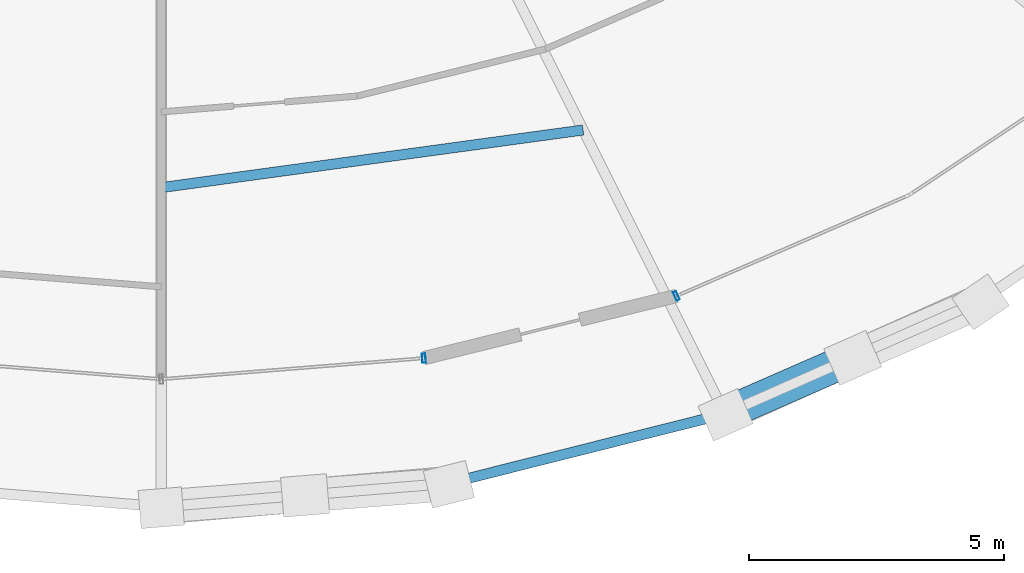
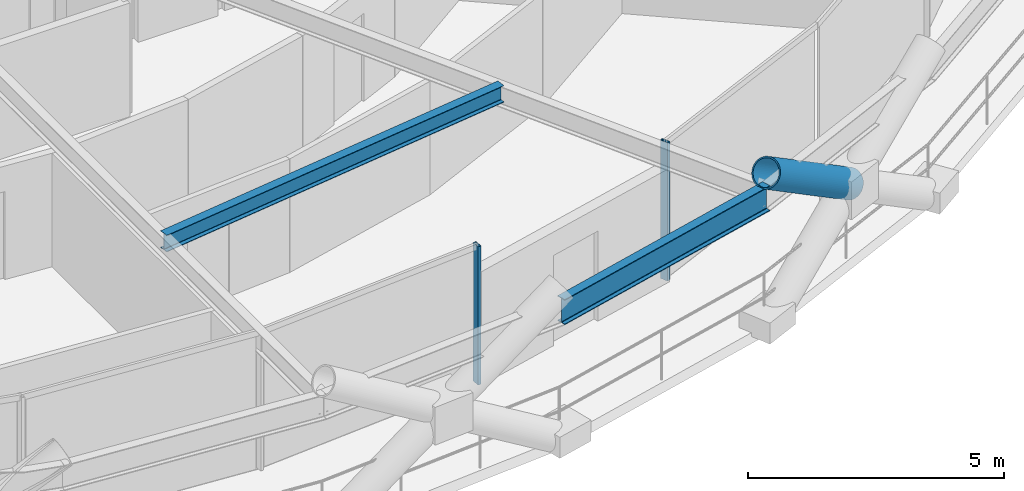
# One storey, part 6 of 23: 3 members, 2 beams, 2 elements without a shape of their own.
"""IFC4 building model written with IfcOpenShell, lengths in metres."""

from ifc_helpers import new_model, si_unit, direction, frame, origin, origin_2d, place, context, subcontext, project, spatial, hollow_rectangle, hollow_circle, i_section, extrude, material, layer, layer_set, material_profile, profile_set, type_object, element, aggregate, save


model = new_model("IFC4")

# Units and contexts
model_context = context("Model", 3, precision=1e-05, world=origin(), true_north=direction((0.0, 1.0)))
body_context = subcontext(model_context, "Body", "Model", "MODEL_VIEW")
ifc_project = project(units=[si_unit("LENGTHUNIT", "METRE"), si_unit("AREAUNIT", "SQUARE_METRE"), si_unit("VOLUMEUNIT", "CUBIC_METRE"), si_unit("PLANEANGLEUNIT", "RADIAN"), si_unit("MASSUNIT", "GRAM", prefix="KILO")], contexts=[model_context])

# Site, building, storey
site_placement = place(None, origin())
site = spatial("IfcSite", under=ifc_project, at=site_placement, CompositionType="ELEMENT")
building_placement = place(site_placement, origin())
building = spatial("IfcBuilding", under=site, at=building_placement, Name="Veldorina Hangang Commons", CompositionType="ELEMENT")
storey_placement = place(building_placement, frame((0.0, 0.0, 95.199951171875)))
storey = spatial("IfcBuildingStorey", under=building, at=storey_placement, Name="L24", CompositionType="ELEMENT", Elevation=95.199951171875)

# Beams
ifc_material_1 = material(Name="Steel SM355-TMC", Category="steel")
ifc_material_profile_1 = material_profile(ifc_material_1, i_section(OverallWidth=0.199951171875, OverallDepth=0.39990234375, WebThickness=0.008056640625, FlangeThickness=0.012939453125, FilletRadius=0.012939453125, at=origin_2d()), Name="H-400x200x8x13")
ifc_profile_set_1 = profile_set([ifc_material_profile_1], Name="Steel SM355-TMC")
beam_type_1 = type_object("IfcBeamType", Name="BM-JST400", PredefinedType="JOIST", material=ifc_profile_set_1)
beam_1_placement = place(storey_placement, frame((32.0, 6.349609375, 3.14013671875), z_axis=(0.990808065694, 0.135275189729, 0.0), x_axis=(-0.135275189729, 0.990808065694, 0.0)))
element("IfcBeam", 1, at=beam_1_placement, inside=storey, type_object=beam_type_1, Name="L24 secondary floor joist 13", PredefinedType="JOIST", context=body_context, shape_type="SweptSolid", body=[
    extrude(i_section(OverallWidth=0.199951171875, OverallDepth=0.39990234375, WebThickness=0.008056640625, FlangeThickness=0.012939453125, FilletRadius=0.012939453125, at=origin_2d()), origin(), (0.0, 0.0, 1.0), 8.33984375),
])
ifc_material_2 = material(Name="Steel SM420-TMC", Category="steel")
ifc_material_profile_2 = material_profile(ifc_material_2, i_section(OverallWidth=0.199951171875, OverallDepth=0.60009765625, WebThickness=0.010986328125, FlangeThickness=0.01708984375, FilletRadius=0.01806640625, at=origin_2d()), Name="H-600x200x11x17")
ifc_profile_set_2 = profile_set([ifc_material_profile_2], Name="Steel SM420-TMC")
beam_type_2 = type_object("IfcBeamType", Name="BM-RB600", PredefinedType="BEAM", material=ifc_profile_set_2)
beam_2_placement = place(storey_placement, frame((37.63037109375, 0.55712890625, 3.0400390625), z_axis=(0.969861422199, 0.243657180747, 0.0), x_axis=(-0.243657180747, 0.969861422199, 0.0)))
element("IfcBeam", 2, at=beam_2_placement, inside=storey, type_object=beam_type_2, Name="L24 perimeter hoop ring beam 25", PredefinedType="BEAM", context=body_context, shape_type="SweptSolid", body=[
    extrude(i_section(OverallWidth=0.199951171875, OverallDepth=0.60009765625, WebThickness=0.010986328125, FlangeThickness=0.01708984375, FilletRadius=0.01806640625, at=origin_2d()), origin(), (0.0, 0.0, 1.0), 5.58203125),
])

# Curtain wall, member
ifc_material_3 = material(Name="Glass Low-E Triple IGU", Category="glass")
ifc_layer = layer(ifc_material_3, 0.179931640625)
ifc_layer_set = layer_set([ifc_layer], Name="Glass Low-E Triple IGU")
curtain_wall_type = type_object("IfcCurtainWallType", Name="CW-SYS-Z1", PredefinedType="NOTDEFINED", material=ifc_layer_set)
curtain_wall_1_placement = place(storey_placement, origin())
curtain_wall_1 = element("IfcCurtainWall", 3, at=curtain_wall_1_placement, inside=storey, type_object=curtain_wall_type, Name="L24 unitised curtain wall CW-L24-R1", PredefinedType="NOTDEFINED")
ifc_material_4 = material(Name="Aluminium Anodized AA6063-T6", Category="aluminium")
ifc_material_profile_3 = material_profile(ifc_material_4, hollow_rectangle(XDim=0.070068359375, YDim=0.179931640625, WallThickness=0.00390625, at=origin_2d()), Name="ALU-RHS-180x70x4")
ifc_profile_set_3 = profile_set([ifc_material_profile_3], Name="Aluminium Anodized AA6063-T6")
member_type_1 = type_object("IfcMemberType", Name="CW-MUL-180", PredefinedType="MULLION", material=ifc_profile_set_3)
member_1_placement = place(storey_placement, frame((37.144287109375, 3.0087890625, 0.0), z_axis=(0.0, 0.0, 1.0), x_axis=(-0.996820733877, -0.079677001159, 0.0)))
member_1 = element("IfcMember", 4, at=member_1_placement, type_object=member_type_1, Name="CW-L24-R1 vertical mullion 5", PredefinedType="MULLION", context=body_context, shape_type="SweptSolid", body=[
    extrude(hollow_rectangle(XDim=0.070068359375, YDim=0.179931640625, WallThickness=0.00390625, at=origin_2d()), origin(), (0.0, 0.0, 1.0), 3.300048828125),
])
aggregate(curtain_wall_1, [member_1])

curtain_wall_2_placement = place(storey_placement, origin())
curtain_wall_2 = element("IfcCurtainWall", 5, at=curtain_wall_2_placement, inside=storey, type_object=curtain_wall_type, Name="L24 unitised curtain wall CW-L24-R2", PredefinedType="NOTDEFINED")
member_2_placement = place(storey_placement, frame((42.091064453125, 4.226806640625, 0.0), z_axis=(0.0, 0.0, 1.0), x_axis=(0.917386861558, 0.397996666117, 0.0)))
member_2 = element("IfcMember", 6, at=member_2_placement, type_object=member_type_1, Name="CW-L24-R2 vertical mullion 1", PredefinedType="MULLION", context=body_context, shape_type="SweptSolid", body=[
    extrude(hollow_rectangle(XDim=0.070068359375, YDim=0.179931640625, WallThickness=0.00390625, at=origin_2d()), origin(), (0.0, 0.0, 1.0), 3.300048828125),
])
aggregate(curtain_wall_2, [member_2])

# Member
ifc_material_5 = material(Name="Steel SM460-TMC", Category="steel")
ifc_material_profile_4 = material_profile(ifc_material_5, hollow_circle(Radius=0.324951171875, WallThickness=0.031982421875, at=origin_2d()), Name="CHS-650x32")
ifc_profile_set_4 = profile_set([ifc_material_profile_4], Name="Steel SM460-TMC")
member_type_2 = type_object("IfcMemberType", Name="DG-CHS650", PredefinedType="BRACE", material=ifc_profile_set_4)
member_3_placement = place(storey_placement, frame((45.544677734375, 3.014404296875, 1.801025390625), z_axis=(-0.765191632082, -0.334444732851, 0.550116793835), x_axis=(0.400490537357, -0.916300894623, 0.0)))
element("IfcMember", 7, at=member_3_placement, inside=storey, type_object=member_type_2, Name="L24 split perimeter diagrid upper brace 27", PredefinedType="BRACE", context=body_context, shape_type="SweptSolid", body=[
    extrude(hollow_circle(Radius=0.324951171875, WallThickness=0.031982421875, at=origin_2d()), origin(), (0.0, 0.0, 1.0), 3.270263671875),
])

save(model, "model.ifc")
